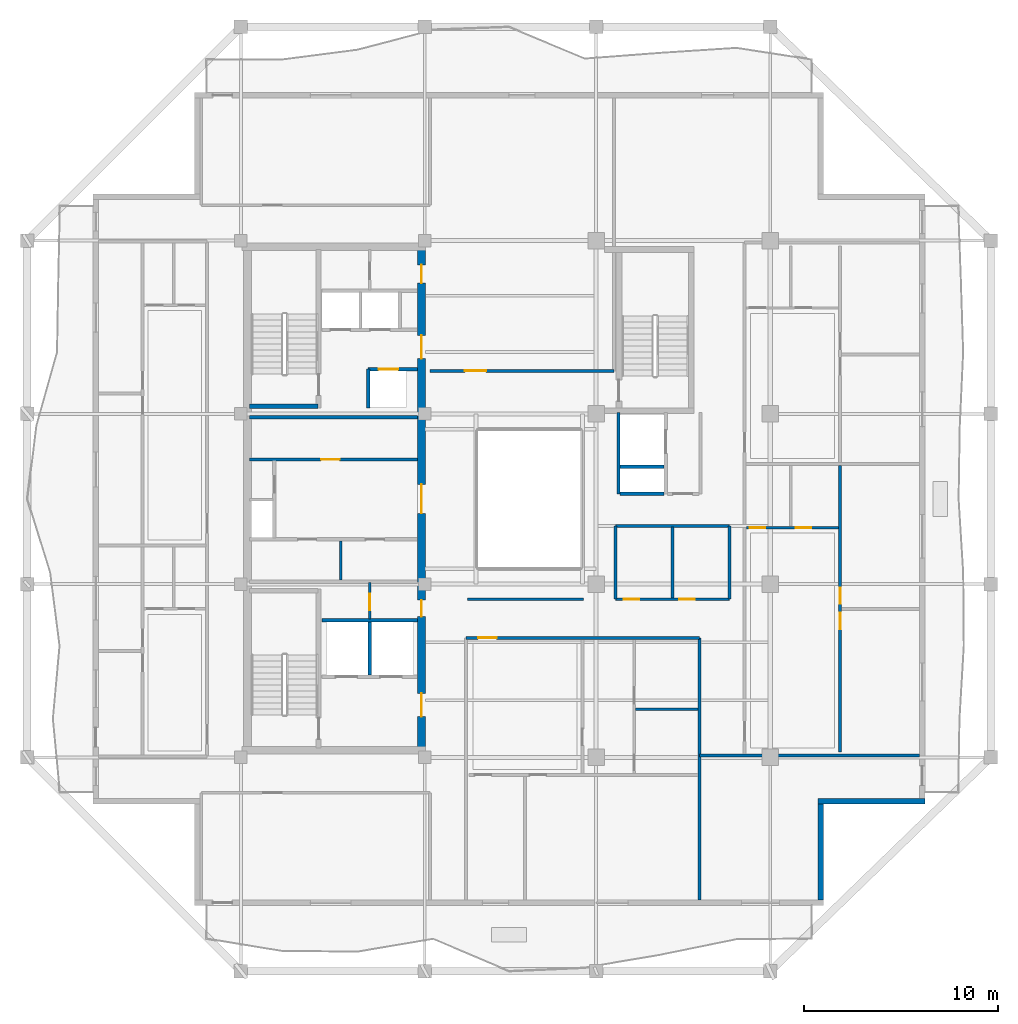
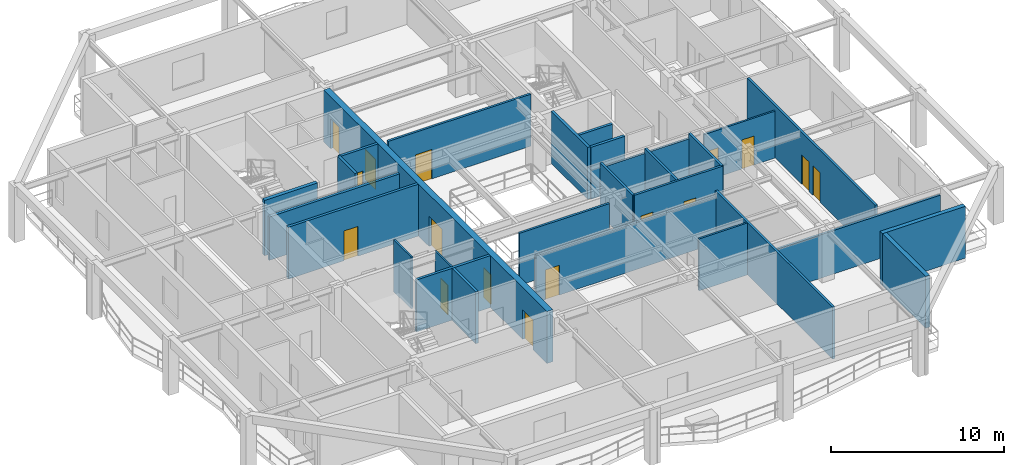
# One storey, part 4 of 12: 28 walls, 16 doors, 16 openings.
"""IFC4 building model written with IfcOpenShell, lengths in metres."""

from ifc_helpers import new_model, si_unit, direction, frame, frame_2d, origin, place, context, subcontext, project, spatial, rectangle, extrude, material, layer, layer_set, type_object, element, fill, save


model = new_model("IFC4")

# Units and contexts
model_context = context("Model", 3, precision=1e-05, world=origin(), true_north=direction((0.0, 1.0)))
body_context = subcontext(model_context, "Body", "Model", "MODEL_VIEW")
ifc_project = project(units=[si_unit("LENGTHUNIT", "METRE"), si_unit("AREAUNIT", "SQUARE_METRE"), si_unit("VOLUMEUNIT", "CUBIC_METRE"), si_unit("PLANEANGLEUNIT", "RADIAN"), si_unit("MASSUNIT", "GRAM", prefix="KILO")], contexts=[model_context])

# Site, building, storey
site_placement = place(None, origin())
site = spatial("IfcSite", under=ifc_project, at=site_placement, CompositionType="ELEMENT")
building_placement = place(site_placement, origin())
building = spatial("IfcBuilding", under=site, at=building_placement, Name="Kundavana Baori Tower", CompositionType="ELEMENT")
storey_placement = place(building_placement, frame((0.0, 0.0, 237.5)))
storey = spatial("IfcBuildingStorey", under=building, at=storey_placement, Name="L58", CompositionType="ELEMENT", Elevation=237.5)

# Wall, openings, doors
ifc_material_1 = material(Name="Concrete C50/60", Category="concrete")
ifc_layer_1 = layer(ifc_material_1, 0.39990234375, Name="WL-CORE-400")
ifc_layer_set_1 = layer_set([ifc_layer_1], Name="Concrete C50/60")
wall_type_1 = type_object("IfcWallType", Name="WL-CORE-400", PredefinedType="SHEAR", material=ifc_layer_set_1)
wall_1_placement = place(storey_placement, frame((24.780029296875, 15.739990234375, 0.0), z_axis=(0.0, 0.0, 1.0), x_axis=(0.0, 1.0, 0.0)))
wall_1 = element("IfcWall", 1, at=wall_1_placement, inside=storey, type_object=wall_type_1, Name="L58 Offset Core East Shear Wall", PredefinedType="SHEAR", context=body_context, shape_type="SweptSolid", body=[
    extrude(rectangle(XDim=25.760009765625, YDim=0.39990234375, at=frame_2d((12.8798828125, 0.0))), origin(), (0.0, 0.0, 1.0), 3.659912109375),
])
opening_1_placement = place(wall_1_placement, frame((1.610107421875, 0.0, 0.0)))
opening_1 = element("IfcOpeningElement", 2, at=opening_1_placement, cuts=wall_1, Name="Opening FD-120", PredefinedType="OPENING", context=body_context, shape_type="SweptSolid", body=[
    extrude(rectangle(XDim=1.199951171875, YDim=2.10009765625, at=frame_2d((0.60009765625, 1.050048828125))), frame((0.0, 0.2099609375, 0.0), z_axis=(0.0, -1.0, 0.0), x_axis=(1.0, 0.0, 0.0)), (0.0, 0.0, 1.0), 0.419921875),
])
opening_2_placement = place(wall_1_placement, frame((6.780029296875, 0.0, 0.0)))
opening_2 = element("IfcOpeningElement", 3, at=opening_2_placement, cuts=wall_1, Name="Opening FD-085", PredefinedType="OPENING", context=body_context, shape_type="SweptSolid", body=[
    extrude(rectangle(XDim=0.85009765625, YDim=2.06005859375, at=frame_2d((0.425048828125, 1.030029296875))), frame((0.0, 0.2099609375, 0.0), z_axis=(0.0, -1.0, 0.0), x_axis=(1.0, 0.0, 0.0)), (0.0, 0.0, 1.0), 0.419921875),
])
opening_3_placement = place(wall_1_placement, frame((12.110107421875, 0.0, 0.0)))
opening_3 = element("IfcOpeningElement", 4, at=opening_3_placement, cuts=wall_1, Name="Opening FD-150", PredefinedType="OPENING", context=body_context, shape_type="SweptSolid", body=[
    extrude(rectangle(XDim=1.5, YDim=2.1201171875, at=frame_2d((0.75, 1.06005859375))), frame((0.0, 0.2099609375, 0.0), z_axis=(0.0, -1.0, 0.0), x_axis=(1.0, 0.0, 0.0)), (0.0, 0.0, 1.0), 0.419921875),
])
opening_4_placement = place(wall_1_placement, frame((20.110107421875, 0.0, 0.0)))
opening_4 = element("IfcOpeningElement", 5, at=opening_4_placement, cuts=wall_1, Name="Opening FD-122", PredefinedType="OPENING", context=body_context, shape_type="SweptSolid", body=[
    extrude(rectangle(XDim=1.199951171875, YDim=2.1201171875, at=frame_2d((0.60009765625, 1.06005859375))), frame((0.0, 0.2099609375, 0.0), z_axis=(0.0, -1.0, 0.0), x_axis=(1.0, 0.0, 0.0)), (0.0, 0.0, 1.0), 0.419921875),
])
opening_5_placement = place(wall_1_placement, frame((24.010009765625, 0.0, 0.0)))
opening_5 = element("IfcOpeningElement", 6, at=opening_5_placement, cuts=wall_1, Name="Opening FD-095", PredefinedType="OPENING", context=body_context, shape_type="SweptSolid", body=[
    extrude(rectangle(XDim=0.949951171875, YDim=2.10009765625, at=frame_2d((0.47509765625, 1.050048828125))), frame((0.0, 0.2099609375, 0.0), z_axis=(0.0, -1.0, 0.0), x_axis=(1.0, 0.0, 0.0)), (0.0, 0.0, 1.0), 0.419921875),
])
ifc_material_2 = material(Name="Galvanised Steel Fire-Rated Door Leaf", Category="steel")
door_type_1 = type_object("IfcDoorType", Name="DR-FD120-1200", OperationType="NOTDEFINED", PredefinedType="DOOR", material=ifc_material_2)
door_1_placement = place(opening_1_placement, frame((1.199951171875, 0.0, 0.0), z_axis=(0.0, 0.0, 1.0), x_axis=(-1.0, 0.0, 0.0)))
door_1 = element("IfcDoor", 7, at=door_1_placement, inside=storey, type_object=door_type_1, Name="DR-L58-FFLOB-E", OperationType="SINGLE_SWING_RIGHT", OverallHeight=2.10009765625, OverallWidth=1.199951171875, PredefinedType="DOOR", context=body_context, shape_type="SweptSolid", body=[
    extrude(rectangle(XDim=1.199951171875, YDim=2.10009765625, at=frame_2d((0.60009765625, 1.050048828125))), frame((0.0, 0.02490234375, 0.0), z_axis=(0.0, -1.0, 0.0), x_axis=(1.0, 0.0, 0.0)), (0.0, 0.0, 1.0), 0.050048828125),
])
fill(opening_1, door_1)
ifc_material_3 = material(Name="Galvanised Steel Fire-Rated Door Leaf", Category="steel")
door_type_2 = type_object("IfcDoorType", Name="DR-FD60-1200", OperationType="NOTDEFINED", PredefinedType="DOOR", material=ifc_material_3)
door_2_placement = place(opening_4_placement, frame((1.199951171875, 0.0, 0.0), z_axis=(0.0, 0.0, 1.0), x_axis=(-1.0, 0.0, 0.0)))
door_2 = element("IfcDoor", 8, at=door_2_placement, inside=storey, type_object=door_type_2, Name="DR-L58-HRLOB-E", OperationType="SINGLE_SWING_RIGHT", OverallHeight=2.1201171875, OverallWidth=1.199951171875, PredefinedType="DOOR", context=body_context, shape_type="SweptSolid", body=[
    extrude(rectangle(XDim=1.199951171875, YDim=2.1201171875, at=frame_2d((0.60009765625, 1.06005859375))), frame((0.0, 0.02490234375, 0.0), z_axis=(0.0, -1.0, 0.0), x_axis=(1.0, 0.0, 0.0)), (0.0, 0.0, 1.0), 0.050048828125),
])
fill(opening_4, door_2)
ifc_material_4 = material(Name="Galvanised Steel Fire-Rated Door Leaf", Category="steel")
door_type_3 = type_object("IfcDoorType", Name="DR-FD60-1500", OperationType="NOTDEFINED", PredefinedType="DOOR", material=ifc_material_4)
door_3_placement = place(opening_3_placement, frame((1.5, 0.0, 0.0), z_axis=(0.0, 0.0, 1.0), x_axis=(-1.0, 0.0, 0.0)))
door_3 = element("IfcDoor", 9, at=door_3_placement, inside=storey, type_object=door_type_3, Name="DR-L58-LIFTHALL-E", OperationType="SINGLE_SWING_LEFT", OverallHeight=2.1201171875, OverallWidth=1.5, PredefinedType="DOOR", context=body_context, shape_type="SweptSolid", body=[
    extrude(rectangle(XDim=1.5, YDim=2.1201171875, at=frame_2d((0.75, 1.06005859375))), frame((0.0, 0.02490234375, 0.0), z_axis=(0.0, -1.0, 0.0), x_axis=(1.0, 0.0, 0.0)), (0.0, 0.0, 1.0), 0.050048828125),
])
fill(opening_3, door_3)
ifc_material_5 = material(Name="Galvanised Steel Fire-Rated Door Leaf", Category="steel")
door_type_4 = type_object("IfcDoorType", Name="DR-FD60-850", OperationType="NOTDEFINED", PredefinedType="DOOR", material=ifc_material_5)
door_4_placement = place(opening_2_placement, frame((0.85009765625, 0.0, 0.0), z_axis=(0.0, 0.0, 1.0), x_axis=(-1.0, 0.0, 0.0)))
door_4 = element("IfcDoor", 10, at=door_4_placement, inside=storey, type_object=door_type_4, Name="DR-L58-CSMK2", OperationType="SINGLE_SWING_RIGHT", OverallHeight=2.06005859375, OverallWidth=0.85009765625, PredefinedType="DOOR", context=body_context, shape_type="SweptSolid", body=[
    extrude(rectangle(XDim=0.85009765625, YDim=2.06005859375, at=frame_2d((0.425048828125, 1.030029296875))), frame((0.0, 0.02490234375, 0.0), z_axis=(0.0, -1.0, 0.0), x_axis=(1.0, 0.0, 0.0)), (0.0, 0.0, 1.0), 0.050048828125),
])
fill(opening_2, door_4)
ifc_material_6 = material(Name="Engineered Teak Fire-Rated Timber Door Leaf", Category="wood")
door_type_5 = type_object("IfcDoorType", Name="DR-FD60-950", OperationType="NOTDEFINED", PredefinedType="DOOR", material=ifc_material_6)
door_5_placement = place(opening_5_placement, frame((0.949951171875, 0.0, 0.0), z_axis=(0.0, 0.0, 1.0), x_axis=(-1.0, 0.0, 0.0)))
door_5 = element("IfcDoor", 11, at=door_5_placement, inside=storey, type_object=door_type_5, Name="DR-L58-CSRV2", OperationType="SINGLE_SWING_RIGHT", OverallHeight=2.10009765625, OverallWidth=0.949951171875, PredefinedType="DOOR", context=body_context, shape_type="SweptSolid", body=[
    extrude(rectangle(XDim=0.949951171875, YDim=2.10009765625, at=frame_2d((0.47509765625, 1.050048828125))), frame((0.0, 0.02490234375, 0.0), z_axis=(0.0, -1.0, 0.0), x_axis=(1.0, 0.0, 0.0)), (0.0, 0.0, 1.0), 0.050048828125),
])
fill(opening_5, door_5)

# Walls
wall_2_placement = place(storey_placement, frame((15.89990234375, 33.389892578125, 0.0), z_axis=(0.0, 0.0, 1.0), x_axis=(1.0, 0.0, 0.0)))
element("IfcWall", 12, at=wall_2_placement, inside=storey, type_object=wall_type_1, Name="WL-L58-ST2-S", PredefinedType="SHEAR", context=body_context, shape_type="SweptSolid", body=[
    extrude(rectangle(XDim=3.52001953125, YDim=0.239990234375, at=frame_2d((1.760009765625, 0.0))), origin(), (0.0, 0.0, 1.0), 3.89990234375),
])
ifc_material_7 = material(Name="Red-Buff Dholpur Sandstone Cladding on Concrete C40/50", Category="masonry")
ifc_layer_2 = layer(ifc_material_7, 0.280029296875, Name="WL-EXT-SAND-280")
ifc_layer_set_2 = layer_set([ifc_layer_2], Name="Red-Buff Dholpur Sandstone Cladding on Concrete C40/50")
wall_type_2 = type_object("IfcWallType", Name="WL-EXT-SAND-280", PredefinedType="STANDARD", material=ifc_layer_set_2)
wall_3_placement = place(storey_placement, frame((45.409912109375, 7.8798828125, 0.0), z_axis=(0.0, 0.0, 1.0), x_axis=(0.0, 1.0, 0.0)))
element("IfcWall", 13, at=wall_3_placement, inside=storey, type_object=wall_type_2, Name="L58 Exterior Insulated Facade Wall 02", PredefinedType="STANDARD", context=body_context, shape_type="SweptSolid", body=[
    extrude(rectangle(XDim=4.97021484375, YDim=0.280029296875, at=frame_2d((2.485107421875, 0.0))), origin(), (0.0, 0.0, 1.0), 3.659912109375),
])
wall_4_placement = place(storey_placement, frame((45.27001953125, 12.989990234375, 0.0), z_axis=(0.0, 0.0, 1.0), x_axis=(1.0, 0.0, 0.0)))
element("IfcWall", 14, at=wall_4_placement, inside=storey, type_object=wall_type_2, Name="L58 Exterior Insulated Facade Wall 03", PredefinedType="STANDARD", context=body_context, shape_type="SweptSolid", body=[
    extrude(rectangle(XDim=5.530029296875, YDim=0.280029296875, at=frame_2d((2.76513671875, 0.0))), origin(), (0.0, 0.0, 1.0), 3.659912109375),
])

# Wall, opening, door
ifc_material_8 = material(Name="Acoustic Gypsum Plasterboard on Galvanised Steel Studs", Category="steel")
ifc_layer_3 = layer(ifc_material_8, 0.1201171875, Name="WL-PART-120")
ifc_layer_set_3 = layer_set([ifc_layer_3], Name="Acoustic Gypsum Plasterboard on Galvanised Steel Studs")
wall_type_3 = type_object("IfcWallType", Name="WL-PART-120", PredefinedType="PARTITIONING", material=ifc_layer_set_3)
wall_5_placement = place(storey_placement, frame((22.10009765625, 22.39990234375, 0.0), z_axis=(0.0, 0.0, 1.0), x_axis=(0.0, 1.0, 0.0)))
wall_5 = element("IfcWall", 15, at=wall_5_placement, inside=storey, type_object=wall_type_3, Name="WL-L58-CSMK-D1", PredefinedType="PARTITIONING", context=body_context, shape_type="SweptSolid", body=[
    extrude(rectangle(XDim=1.880126953125, YDim=0.1201171875, at=frame_2d((0.93994140625, 0.0))), origin(), (0.0, 0.0, 1.0), 3.659912109375),
])
opening_6_placement = place(wall_5_placement, frame((0.449951171875, 0.0, 0.0)))
opening_6 = element("IfcOpeningElement", 16, at=opening_6_placement, cuts=wall_5, Name="Opening FD-085", PredefinedType="OPENING", context=body_context, shape_type="SweptSolid", body=[
    extrude(rectangle(XDim=0.85009765625, YDim=2.06005859375, at=frame_2d((0.425048828125, 1.030029296875))), frame((0.0, 0.070068359375, 0.0), z_axis=(0.0, -1.0, 0.0), x_axis=(1.0, 0.0, 0.0)), (0.0, 0.0, 1.0), 0.14013671875),
])
door_6_placement = place(opening_6_placement, origin())
door_6 = element("IfcDoor", 17, at=door_6_placement, inside=storey, type_object=door_type_4, Name="DR-L58-CSMK1", OperationType="SINGLE_SWING_LEFT", OverallHeight=2.06005859375, OverallWidth=0.85009765625, PredefinedType="DOOR", context=body_context, shape_type="SweptSolid", body=[
    extrude(rectangle(XDim=0.85009765625, YDim=2.06005859375, at=frame_2d((0.425048828125, 1.030029296875))), frame((0.0, 0.02490234375, 0.0), z_axis=(0.0, -1.0, 0.0), x_axis=(1.0, 0.0, 0.0)), (0.0, 0.0, 1.0), 0.050048828125),
])
fill(opening_6, door_6)

# Wall
wall_6_placement = place(storey_placement, frame((20.60009765625, 24.419921875, 0.0), z_axis=(0.0, 0.0, 1.0), x_axis=(0.0, 1.0, 0.0)))
element("IfcWall", 18, at=wall_6_placement, inside=storey, type_object=wall_type_3, Name="WL-L58-FRLOW-DIV", PredefinedType="PARTITIONING", context=body_context, shape_type="SweptSolid", body=[
    extrude(rectangle(XDim=2.02001953125, YDim=0.1201171875, at=frame_2d((1.010009765625, 0.0))), origin(), (0.0, 0.0, 1.0), 3.659912109375),
])

# Wall, opening, door
ifc_material_9 = material(Name="Fire-Rated Gypsum Drywall on Galvanised Steel Studs", Category="steel")
ifc_layer_4 = layer(ifc_material_9, 0.14990234375, Name="WL-PART-150")
ifc_layer_set_4 = layer_set([ifc_layer_4], Name="Fire-Rated Gypsum Drywall on Galvanised Steel Studs")
wall_type_4 = type_object("IfcWallType", Name="WL-PART-150", PredefinedType="PARTITIONING", material=ifc_layer_set_4)
wall_7_placement = place(storey_placement, frame((27.080078125, 21.419921875, 0.0), z_axis=(0.0, 0.0, 1.0), x_axis=(1.0, 0.0, 0.0)))
wall_7 = element("IfcWall", 19, at=wall_7_placement, inside=storey, type_object=wall_type_4, Name="WL-L58-RS", PredefinedType="PARTITIONING", context=body_context, shape_type="SweptSolid", body=[
    extrude(rectangle(XDim=12.06982421875, YDim=0.14990234375, at=frame_2d((6.034912109375, 0.0))), origin(), (0.0, 0.0, 1.0), 3.31005859375),
])
opening_7_placement = place(wall_7_placement, frame((0.6298828125, 0.0, 0.0)))
opening_7 = element("IfcOpeningElement", 20, at=opening_7_placement, cuts=wall_7, Name="Opening FD-095", PredefinedType="OPENING", context=body_context, shape_type="SweptSolid", body=[
    extrude(rectangle(XDim=0.949951171875, YDim=2.10009765625, at=frame_2d((0.47509765625, 1.050048828125))), frame((0.0, 0.0849609375, 0.0), z_axis=(0.0, -1.0, 0.0), x_axis=(1.0, 0.0, 0.0)), (0.0, 0.0, 1.0), 0.169921875),
])
door_7_placement = place(opening_7_placement, frame((0.949951171875, 0.0, 0.0), z_axis=(0.0, 0.0, 1.0), x_axis=(-1.0, 0.0, 0.0)))
door_7 = element("IfcDoor", 21, at=door_7_placement, inside=storey, type_object=door_type_5, Name="DR-L58-S1-ENT", OperationType="SINGLE_SWING_RIGHT", OverallHeight=2.10009765625, OverallWidth=0.949951171875, PredefinedType="DOOR", context=body_context, shape_type="SweptSolid", body=[
    extrude(rectangle(XDim=0.949951171875, YDim=2.10009765625, at=frame_2d((0.47509765625, 1.050048828125))), frame((0.0, 0.02490234375, 0.0), z_axis=(0.0, -1.0, 0.0), x_axis=(1.0, 0.0, 0.0)), (0.0, 0.0, 1.0), 0.050048828125),
])
fill(opening_7, door_7)

# Wall
wall_8_placement = place(storey_placement, frame((27.14990234375, 23.419921875, 0.0), z_axis=(0.0, 0.0, 1.0), x_axis=(1.0, 0.0, 0.0)))
element("IfcWall", 22, at=wall_8_placement, inside=storey, type_object=wall_type_4, Name="WL-L58-RST", PredefinedType="PARTITIONING", context=body_context, shape_type="SweptSolid", body=[
    extrude(rectangle(XDim=6.0, YDim=0.14990234375, at=frame_2d((3.0, 0.0))), origin(), (0.0, 0.0, 1.0), 3.659912109375),
])

# Wall, opening, door
wall_9_placement = place(storey_placement, frame((25.219970703125, 35.219970703125, 0.0), z_axis=(0.0, 0.0, 1.0), x_axis=(1.0, 0.0, 0.0)))
wall_9 = element("IfcWall", 23, at=wall_9_placement, inside=storey, type_object=wall_type_4, Name="WL-L58-RN", PredefinedType="PARTITIONING", context=body_context, shape_type="SweptSolid", body=[
    extrude(rectangle(XDim=9.5, YDim=0.14990234375, at=frame_2d((4.75, 0.0))), origin(), (0.0, 0.0, 1.0), 3.659912109375),
])
opening_8_placement = place(wall_9_placement, frame((1.800048828125, 0.0, 0.0)))
opening_8 = element("IfcOpeningElement", 24, at=opening_8_placement, cuts=wall_9, Name="Opening ID-110", PredefinedType="OPENING", context=body_context, shape_type="SweptSolid", body=[
    extrude(rectangle(XDim=1.10009765625, YDim=2.080078125, at=frame_2d((0.550048828125, 1.0400390625))), frame((0.0, 0.0849609375, 0.0), z_axis=(0.0, -1.0, 0.0), x_axis=(1.0, 0.0, 0.0)), (0.0, 0.0, 1.0), 0.169921875),
])
ifc_material_10 = material(Name="Engineered Teak Solid-Core Timber Veneer", Category="wood")
door_type_6 = type_object("IfcDoorType", Name="DR-INT-1100", OperationType="NOTDEFINED", PredefinedType="DOOR", material=ifc_material_10)
door_8_placement = place(opening_8_placement, origin())
door_8 = element("IfcDoor", 25, at=door_8_placement, inside=storey, type_object=door_type_6, Name="DR-L58-RLNGN", OperationType="SINGLE_SWING_RIGHT", OverallHeight=2.080078125, OverallWidth=1.10009765625, PredefinedType="DOOR", context=body_context, shape_type="SweptSolid", body=[
    extrude(rectangle(XDim=1.10009765625, YDim=2.080078125, at=frame_2d((0.550048828125, 1.0400390625))), frame((0.0, 0.02490234375, 0.0), z_axis=(0.0, -1.0, 0.0), x_axis=(1.0, 0.0, 0.0)), (0.0, 0.0, 1.0), 0.050048828125),
])
fill(opening_8, door_8)

# Walls
wall_10_placement = place(storey_placement, frame((39.14990234375, 7.8798828125, 0.0), z_axis=(0.0, 0.0, 1.0), x_axis=(0.0, 1.0, 0.0)))
element("IfcWall", 26, at=wall_10_placement, inside=storey, type_object=wall_type_4, Name="WL-L58-RSEND", PredefinedType="PARTITIONING", context=body_context, shape_type="SweptSolid", body=[
    extrude(rectangle(XDim=13.5400390625, YDim=0.14990234375, at=frame_2d((6.77001953125, 0.0))), origin(), (0.0, 0.0, 1.0), 3.659912109375),
])
wall_11_placement = place(storey_placement, frame((39.14990234375, 15.35009765625, 0.0), z_axis=(0.0, 0.0, 1.0), x_axis=(1.0, 0.0, 0.0)))
element("IfcWall", 27, at=wall_11_placement, inside=storey, type_object=wall_type_4, Name="WL-L58-RES", PredefinedType="PARTITIONING", context=body_context, shape_type="SweptSolid", body=[
    extrude(rectangle(XDim=11.3701171875, YDim=0.14990234375, at=frame_2d((5.68505859375, 0.0))), origin(), (0.0, 0.0, 1.0), 3.06005859375),
])

# Wall, openings, doors
wall_12_placement = place(storey_placement, frame((46.407958984375, 15.530029296875, 0.0), z_axis=(0.0, 0.0, 1.0), x_axis=(0.0, 1.0, 0.0)))
wall_12 = element("IfcWall", 28, at=wall_12_placement, inside=storey, type_object=wall_type_4, Name="WL-L58-E1-VT", PredefinedType="PARTITIONING", context=body_context, shape_type="SweptSolid", body=[
    extrude(rectangle(XDim=14.7900390625, YDim=0.14990234375, at=frame_2d((7.39501953125, 0.0))), origin(), (0.0, 0.0, 1.0), 3.659912109375),
])
opening_9_placement = place(wall_12_placement, frame((6.344970703125, 0.0, 0.0)))
opening_9 = element("IfcOpeningElement", 29, at=opening_9_placement, cuts=wall_12, Name="Opening ID-085", PredefinedType="OPENING", context=body_context, shape_type="SweptSolid", body=[
    extrude(rectangle(XDim=0.85009765625, YDim=2.080078125, at=frame_2d((0.425048828125, 1.0400390625))), frame((0.0, 0.0849609375, 0.0), z_axis=(0.0, -1.0, 0.0), x_axis=(1.0, 0.0, 0.0)), (0.0, 0.0, 1.0), 0.169921875),
])
opening_10_placement = place(wall_12_placement, frame((7.64501953125, 0.0, 0.0)))
opening_10 = element("IfcOpeningElement", 30, at=opening_10_placement, cuts=wall_12, Name="Opening ID-085", PredefinedType="OPENING", context=body_context, shape_type="SweptSolid", body=[
    extrude(rectangle(XDim=0.85009765625, YDim=2.080078125, at=frame_2d((0.425048828125, 1.0400390625))), frame((0.0, 0.0849609375, 0.0), z_axis=(0.0, -1.0, 0.0), x_axis=(1.0, 0.0, 0.0)), (0.0, 0.0, 1.0), 0.169921875),
])
ifc_material_11 = material(Name="Engineered Teak Solid-Core Timber Veneer", Category="wood")
door_type_7 = type_object("IfcDoorType", Name="DR-INT-850", OperationType="NOTDEFINED", PredefinedType="DOOR", material=ifc_material_11)
door_9_placement = place(opening_9_placement, origin())
door_9 = element("IfcDoor", 31, at=door_9_placement, inside=storey, type_object=door_type_7, Name="DR-L58-E1-B1", OperationType="SINGLE_SWING_LEFT", OverallHeight=2.080078125, OverallWidth=0.85009765625, PredefinedType="DOOR", context=body_context, shape_type="SweptSolid", body=[
    extrude(rectangle(XDim=0.85009765625, YDim=2.080078125, at=frame_2d((0.425048828125, 1.0400390625))), frame((0.0, 0.02490234375, 0.0), z_axis=(0.0, -1.0, 0.0), x_axis=(1.0, 0.0, 0.0)), (0.0, 0.0, 1.0), 0.050048828125),
])
fill(opening_9, door_9)
door_10_placement = place(opening_10_placement, origin())
door_10 = element("IfcDoor", 32, at=door_10_placement, inside=storey, type_object=door_type_7, Name="DR-L58-E1-B2", OperationType="SINGLE_SWING_RIGHT", OverallHeight=2.080078125, OverallWidth=0.85009765625, PredefinedType="DOOR", context=body_context, shape_type="SweptSolid", body=[
    extrude(rectangle(XDim=0.85009765625, YDim=2.080078125, at=frame_2d((0.425048828125, 1.0400390625))), frame((0.0, 0.02490234375, 0.0), z_axis=(0.0, -1.0, 0.0), x_axis=(1.0, 0.0, 0.0)), (0.0, 0.0, 1.0), 0.050048828125),
])
fill(opening_10, door_10)

wall_13_placement = place(storey_placement, frame((34.800048828125, 23.419921875, 0.0), z_axis=(0.0, 0.0, 1.0), x_axis=(1.0, 0.0, 0.0)))
wall_13 = element("IfcWall", 33, at=wall_13_placement, inside=storey, type_object=wall_type_4, Name="WL-L58-ALS", PredefinedType="PARTITIONING", context=body_context, shape_type="SweptSolid", body=[
    extrude(rectangle(XDim=5.89990234375, YDim=0.14990234375, at=frame_2d((2.949951171875, 0.0))), origin(), (0.0, 0.0, 1.0), 3.659912109375),
])
opening_11_placement = place(wall_13_placement, frame((0.429931640625, 0.0, 0.0)))
opening_11 = element("IfcOpeningElement", 34, at=opening_11_placement, cuts=wall_13, Name="Opening WD-080", PredefinedType="OPENING", context=body_context, shape_type="SweptSolid", body=[
    extrude(rectangle(XDim=0.800048828125, YDim=2.050048828125, at=frame_2d((0.39990234375, 1.02490234375))), frame((0.0, 0.0849609375, 0.0), z_axis=(0.0, -1.0, 0.0), x_axis=(1.0, 0.0, 0.0)), (0.0, 0.0, 1.0), 0.169921875),
])
opening_12_placement = place(wall_13_placement, frame((3.300048828125, 0.0, 0.0)))
opening_12 = element("IfcOpeningElement", 35, at=opening_12_placement, cuts=wall_13, Name="Opening WD-080", PredefinedType="OPENING", context=body_context, shape_type="SweptSolid", body=[
    extrude(rectangle(XDim=0.800048828125, YDim=2.050048828125, at=frame_2d((0.39990234375, 1.02490234375))), frame((0.0, 0.0849609375, 0.0), z_axis=(0.0, -1.0, 0.0), x_axis=(1.0, 0.0, 0.0)), (0.0, 0.0, 1.0), 0.169921875),
])
ifc_material_12 = material(Name="Engineered Teak Solid-Core Timber Veneer", Category="wood")
door_type_8 = type_object("IfcDoorType", Name="DR-WET-800", OperationType="NOTDEFINED", PredefinedType="DOOR", material=ifc_material_12)
door_11_placement = place(opening_11_placement, origin())
door_11 = element("IfcDoor", 36, at=door_11_placement, inside=storey, type_object=door_type_8, Name="DR-L58-RALC1", OperationType="SINGLE_SWING_LEFT", OverallHeight=2.050048828125, OverallWidth=0.800048828125, PredefinedType="DOOR", context=body_context, shape_type="SweptSolid", body=[
    extrude(rectangle(XDim=0.800048828125, YDim=2.050048828125, at=frame_2d((0.39990234375, 1.02490234375))), frame((0.0, 0.02490234375, 0.0), z_axis=(0.0, -1.0, 0.0), x_axis=(1.0, 0.0, 0.0)), (0.0, 0.0, 1.0), 0.050048828125),
])
fill(opening_11, door_11)
door_12_placement = place(opening_12_placement, origin())
door_12 = element("IfcDoor", 37, at=door_12_placement, inside=storey, type_object=door_type_8, Name="DR-L58-RALC2", OperationType="SINGLE_SWING_LEFT", OverallHeight=2.050048828125, OverallWidth=0.800048828125, PredefinedType="DOOR", context=body_context, shape_type="SweptSolid", body=[
    extrude(rectangle(XDim=0.800048828125, YDim=2.050048828125, at=frame_2d((0.39990234375, 1.02490234375))), frame((0.0, 0.02490234375, 0.0), z_axis=(0.0, -1.0, 0.0), x_axis=(1.0, 0.0, 0.0)), (0.0, 0.0, 1.0), 0.050048828125),
])
fill(opening_12, door_12)

# Walls
wall_14_placement = place(storey_placement, frame((34.800048828125, 27.199951171875, 0.0), z_axis=(0.0, 0.0, 1.0), x_axis=(1.0, 0.0, 0.0)))
element("IfcWall", 38, at=wall_14_placement, inside=storey, type_object=wall_type_4, Name="WL-L58-ALN", PredefinedType="PARTITIONING", context=body_context, shape_type="SweptSolid", body=[
    extrude(rectangle(XDim=5.89990234375, YDim=0.14990234375, at=frame_2d((2.949951171875, 0.0))), origin(), (0.0, 0.0, 1.0), 3.31005859375),
])
for number, where, z_axis, x_axis, name in (
    (39, (34.800048828125, 23.419921875, 0.0), (0.0, 0.0, 1.0), (0.0, 1.0, 0.0), "WL-L58-ALW"),
    (40, (40.699951171875, 23.419921875, 0.0), (0.0, 0.0, 1.0), (0.0, 1.0, 0.0), "WL-L58-ALE"),
):
    element("IfcWall", number, at=place(storey_placement, frame(where, z_axis=z_axis, x_axis=x_axis)), inside=storey, type_object=wall_type_4, Name=name, PredefinedType="PARTITIONING", context=body_context, shape_type="SweptSolid", body=[
        extrude(rectangle(XDim=3.780029296875, YDim=0.14990234375, at=frame_2d((1.89013671875, 0.0))), origin(), (0.0, 0.0, 1.0), 3.659912109375),
    ])
wall_15_placement = place(storey_placement, frame((37.75, 23.47998046875, 0.0), z_axis=(0.0, 0.0, 1.0), x_axis=(0.0, 1.0, 0.0)))
element("IfcWall", 41, at=wall_15_placement, inside=storey, type_object=wall_type_4, Name="WL-L58-ALD1", PredefinedType="PARTITIONING", context=body_context, shape_type="SweptSolid", body=[
    extrude(rectangle(XDim=3.659912109375, YDim=0.14990234375, at=frame_2d((1.830078125, 0.0))), origin(), (0.0, 0.0, 1.0), 3.659912109375),
])
ifc_material_13 = material(Name="Autoclaved Aerated Concrete Blockwork Masonry", Category="masonry")
ifc_layer_5 = layer(ifc_material_13, 0.179931640625, Name="WL-SHAFT-180")
ifc_layer_set_5 = layer_set([ifc_layer_5], Name="Autoclaved Aerated Concrete Blockwork Masonry")
wall_type_5 = type_object("IfcWallType", Name="WL-SHAFT-180", PredefinedType="SOLIDWALL", material=ifc_layer_set_5)
wall_16_placement = place(storey_placement, frame((22.10009765625, 19.510009765625, 0.0), z_axis=(0.0, 0.0, 1.0), x_axis=(0.0, 1.0, 0.0)))
element("IfcWall", 42, at=wall_16_placement, inside=storey, type_object=wall_type_5, Name="WL-L58-FFL-MID", PredefinedType="SOLIDWALL", context=body_context, shape_type="SweptSolid", body=[
    extrude(rectangle(XDim=2.739990234375, YDim=0.179931640625, at=frame_2d((1.3701171875, 0.0))), origin(), (0.0, 0.0, 1.0), 3.659912109375),
])
wall_17_placement = place(storey_placement, frame((19.639892578125, 22.340087890625, 0.0), z_axis=(0.0, 0.0, 1.0), x_axis=(1.0, 0.0, 0.0)))
element("IfcWall", 43, at=wall_17_placement, inside=storey, type_object=wall_type_5, Name="WL-L58-FFL-N", PredefinedType="SOLIDWALL", context=body_context, shape_type="SweptSolid", body=[
    extrude(rectangle(XDim=4.940185546875, YDim=0.179931640625, at=frame_2d((2.47021484375, 0.0))), origin(), (0.0, 0.0, 1.0), 3.659912109375),
])

# Wall, opening, door
wall_18_placement = place(storey_placement, frame((15.89990234375, 30.639892578125, 0.0), z_axis=(0.0, 0.0, 1.0), x_axis=(1.0, 0.0, 0.0)))
wall_18 = element("IfcWall", 44, at=wall_18_placement, inside=storey, type_object=wall_type_5, Name="WL-L58-LPMID-S", PredefinedType="SOLIDWALL", context=body_context, shape_type="SweptSolid", body=[
    extrude(rectangle(XDim=8.68017578125, YDim=0.179931640625, at=frame_2d((4.340087890625, 0.0))), origin(), (0.0, 0.0, 1.0), 3.659912109375),
])
opening_13_placement = place(wall_18_placement, frame((3.699951171875, 0.0, 0.0)))
opening_13 = element("IfcOpeningElement", 45, at=opening_13_placement, cuts=wall_18, Name="Opening FD-095", PredefinedType="OPENING", context=body_context, shape_type="SweptSolid", body=[
    extrude(rectangle(XDim=0.949951171875, YDim=2.10009765625, at=frame_2d((0.47509765625, 1.050048828125))), frame((0.0, 0.10009765625, 0.0), z_axis=(0.0, -1.0, 0.0), x_axis=(1.0, 0.0, 0.0)), (0.0, 0.0, 1.0), 0.199951171875),
])
door_13_placement = place(opening_13_placement, frame((0.949951171875, 0.0, 0.0), z_axis=(0.0, 0.0, 1.0), x_axis=(-1.0, 0.0, 0.0)))
door_13 = element("IfcDoor", 46, at=door_13_placement, inside=storey, type_object=door_type_5, Name="DR-L58-FRMID1", OperationType="SINGLE_SWING_RIGHT", OverallHeight=2.10009765625, OverallWidth=0.949951171875, PredefinedType="DOOR", context=body_context, shape_type="SweptSolid", body=[
    extrude(rectangle(XDim=0.949951171875, YDim=2.10009765625, at=frame_2d((0.47509765625, 1.050048828125))), frame((0.0, 0.02490234375, 0.0), z_axis=(0.0, -1.0, 0.0), x_axis=(1.0, 0.0, 0.0)), (0.0, 0.0, 1.0), 0.050048828125),
])
fill(opening_13, door_13)

# Wall
wall_19_placement = place(storey_placement, frame((15.89990234375, 32.820068359375, 0.0), z_axis=(0.0, 0.0, 1.0), x_axis=(1.0, 0.0, 0.0)))
element("IfcWall", 47, at=wall_19_placement, inside=storey, type_object=wall_type_5, Name="WL-L58-LPMID-N", PredefinedType="SOLIDWALL", context=body_context, shape_type="SweptSolid", body=[
    extrude(rectangle(XDim=8.68017578125, YDim=0.179931640625, at=frame_2d((4.340087890625, 0.0))), origin(), (0.0, 0.0, 1.0), 3.06005859375),
])

# Wall, opening, door
wall_20_placement = place(storey_placement, frame((22.02001953125, 35.31005859375, 0.0), z_axis=(0.0, 0.0, 1.0), x_axis=(1.0, 0.0, 0.0)))
wall_20 = element("IfcWall", 48, at=wall_20_placement, inside=storey, type_object=wall_type_5, Name="WL-L58-LP11-N", PredefinedType="SOLIDWALL", context=body_context, shape_type="SweptSolid", body=[
    extrude(rectangle(XDim=2.56005859375, YDim=0.179931640625, at=frame_2d((1.280029296875, 0.0))), origin(), (0.0, 0.0, 1.0), 3.659912109375),
])
opening_14_placement = place(wall_20_placement, frame((0.550048828125, 0.0, 0.0)))
opening_14 = element("IfcOpeningElement", 49, at=opening_14_placement, cuts=wall_20, Name="Opening LD-100", PredefinedType="OPENING", context=body_context, shape_type="SweptSolid", body=[
    extrude(rectangle(XDim=1.0, YDim=2.10009765625, at=frame_2d((0.5, 1.050048828125))), frame((0.0, 0.10009765625, 0.0), z_axis=(0.0, -1.0, 0.0), x_axis=(1.0, 0.0, 0.0)), (0.0, 0.0, 1.0), 0.199951171875),
])
ifc_material_14 = material(Name="Galvanised Steel Fire-Rated Door Leaf", Category="steel")
door_type_9 = type_object("IfcDoorType", Name="DR-SLIDE-LD1000", OperationType="NOTDEFINED", PredefinedType="DOOR", material=ifc_material_14)
door_14_placement = place(opening_14_placement, origin())
door_14 = element("IfcDoor", 50, at=door_14_placement, inside=storey, type_object=door_type_9, Name="DR-L58-LD-LP11", OperationType="DOUBLE_DOOR_SLIDING", OverallHeight=2.10009765625, OverallWidth=1.0, PredefinedType="DOOR", context=body_context, shape_type="SweptSolid", body=[
    extrude(rectangle(XDim=1.0, YDim=2.10009765625, at=frame_2d((0.5, 1.050048828125))), frame((0.0, 0.02490234375, 0.0), z_axis=(0.0, -1.0, 0.0), x_axis=(1.0, 0.0, 0.0)), (0.0, 0.0, 1.0), 0.050048828125),
])
fill(opening_14, door_14)

# Walls
wall_21_placement = place(storey_placement, frame((22.02001953125, 33.300048828125, 0.0), z_axis=(0.0, 0.0, 1.0), x_axis=(0.0, 1.0, 0.0)))
element("IfcWall", 51, at=wall_21_placement, inside=storey, type_object=wall_type_5, Name="WL-L58-LP11-W", PredefinedType="SOLIDWALL", context=body_context, shape_type="SweptSolid", body=[
    extrude(rectangle(XDim=2.010009765625, YDim=0.179931640625, at=frame_2d((1.0048828125, 0.0))), origin(), (0.0, 0.0, 1.0), 3.659912109375),
])
wall_22_placement = place(storey_placement, frame((34.9599609375, 28.860107421875, 0.0), z_axis=(0.0, 0.0, 1.0), x_axis=(0.0, 1.0, 0.0)))
element("IfcWall", 52, at=wall_22_placement, inside=storey, type_object=wall_type_5, Name="WL-L58-SVL-W", PredefinedType="SOLIDWALL", context=body_context, shape_type="SweptSolid", body=[
    extrude(rectangle(XDim=4.219970703125, YDim=0.179931640625, at=frame_2d((2.10986328125, 0.0))), origin(), (0.0, 0.0, 1.0), 3.659912109375),
])
for number, where, z_axis, x_axis, name in (
    (53, (35.050048828125, 28.860107421875, 0.0), (0.0, 0.0, 1.0), (1.0, 0.0, 0.0), "WL-L58-SVL-S"),
    (54, (35.050048828125, 30.27001953125, 0.0), (0.0, 0.0, 1.0), (1.0, 0.0, 0.0), "WL-L58-SVL-M"),
):
    element("IfcWall", number, at=place(storey_placement, frame(where, z_axis=z_axis, x_axis=x_axis)), inside=storey, type_object=wall_type_5, Name=name, PredefinedType="SOLIDWALL", context=body_context, shape_type="SweptSolid", body=[
        extrude(rectangle(XDim=2.25, YDim=0.179931640625, at=frame_2d((1.125, 0.0))), origin(), (0.0, 0.0, 1.0), 3.659912109375),
    ])
ifc_material_15 = material(Name="Autoclaved Aerated Concrete Blockwork Masonry", Category="masonry")
ifc_layer_6 = layer(ifc_material_15, 0.125, Name="WL-WET-120")
ifc_layer_set_6 = layer_set([ifc_layer_6], Name="Autoclaved Aerated Concrete Blockwork Masonry")
wall_type_6 = type_object("IfcWallType", Name="WL-WET-120", PredefinedType="PLUMBINGWALL", material=ifc_layer_set_6)
wall_23_placement = place(storey_placement, frame((35.85009765625, 17.741943359375, 0.0), z_axis=(0.0, 0.0, 1.0), x_axis=(1.0, 0.0, 0.0)))
element("IfcWall", 55, at=wall_23_placement, inside=storey, type_object=wall_type_6, Name="WL-L58-S1-BT", PredefinedType="PLUMBINGWALL", context=body_context, shape_type="SweptSolid", body=[
    extrude(rectangle(XDim=3.219970703125, YDim=0.125, at=frame_2d((1.60986328125, 0.0))), origin(), (0.0, 0.0, 1.0), 3.659912109375),
])

# Wall, openings, doors
wall_24_placement = place(storey_placement, frame((41.580078125, 27.1201171875, 0.0), z_axis=(0.0, 0.0, 1.0), x_axis=(1.0, 0.0, 0.0)))
wall_24 = element("IfcWall", 56, at=wall_24_placement, inside=storey, type_object=wall_type_6, Name="WL-L58-E1-KH", PredefinedType="PLUMBINGWALL", context=body_context, shape_type="SweptSolid", body=[
    extrude(rectangle(XDim=4.747802734375, YDim=0.125, at=frame_2d((2.3740234375, 0.0))), origin(), (0.0, 0.0, 1.0), 3.31005859375),
])
opening_15_placement = place(wall_24_placement, frame((0.159912109375, 0.0, 0.0)))
opening_15 = element("IfcOpeningElement", 57, at=opening_15_placement, cuts=wall_24, Name="Opening WD-080", PredefinedType="OPENING", context=body_context, shape_type="SweptSolid", body=[
    extrude(rectangle(XDim=0.800048828125, YDim=2.050048828125, at=frame_2d((0.39990234375, 1.02490234375))), frame((0.0, 0.072509765625, 0.0), z_axis=(0.0, -1.0, 0.0), x_axis=(1.0, 0.0, 0.0)), (0.0, 0.0, 1.0), 0.14501953125),
])
opening_16_placement = place(wall_24_placement, frame((2.5390625, 0.0, 0.0)))
opening_16 = element("IfcOpeningElement", 58, at=opening_16_placement, cuts=wall_24, Name="Opening WD-080", PredefinedType="OPENING", context=body_context, shape_type="SweptSolid", body=[
    extrude(rectangle(XDim=0.800048828125, YDim=2.050048828125, at=frame_2d((0.39990234375, 1.02490234375))), frame((0.0, 0.072509765625, 0.0), z_axis=(0.0, -1.0, 0.0), x_axis=(1.0, 0.0, 0.0)), (0.0, 0.0, 1.0), 0.14501953125),
])
door_15_placement = place(opening_15_placement, origin())
door_15 = element("IfcDoor", 59, at=door_15_placement, inside=storey, type_object=door_type_8, Name="DR-L58-E1-BT", OperationType="SINGLE_SWING_LEFT", OverallHeight=2.050048828125, OverallWidth=0.800048828125, PredefinedType="DOOR", context=body_context, shape_type="SweptSolid", body=[
    extrude(rectangle(XDim=0.800048828125, YDim=2.050048828125, at=frame_2d((0.39990234375, 1.02490234375))), frame((0.0, 0.02490234375, 0.0), z_axis=(0.0, -1.0, 0.0), x_axis=(1.0, 0.0, 0.0)), (0.0, 0.0, 1.0), 0.050048828125),
])
fill(opening_15, door_15)
door_16_placement = place(opening_16_placement, origin())
door_16 = element("IfcDoor", 60, at=door_16_placement, inside=storey, type_object=door_type_8, Name="DR-L58-E1-KT", OperationType="SINGLE_SWING_RIGHT", OverallHeight=2.050048828125, OverallWidth=0.800048828125, PredefinedType="DOOR", context=body_context, shape_type="SweptSolid", body=[
    extrude(rectangle(XDim=0.800048828125, YDim=2.050048828125, at=frame_2d((0.39990234375, 1.02490234375))), frame((0.0, 0.02490234375, 0.0), z_axis=(0.0, -1.0, 0.0), x_axis=(1.0, 0.0, 0.0)), (0.0, 0.0, 1.0), 0.050048828125),
])
fill(opening_16, door_16)

save(model, "model.ifc")
